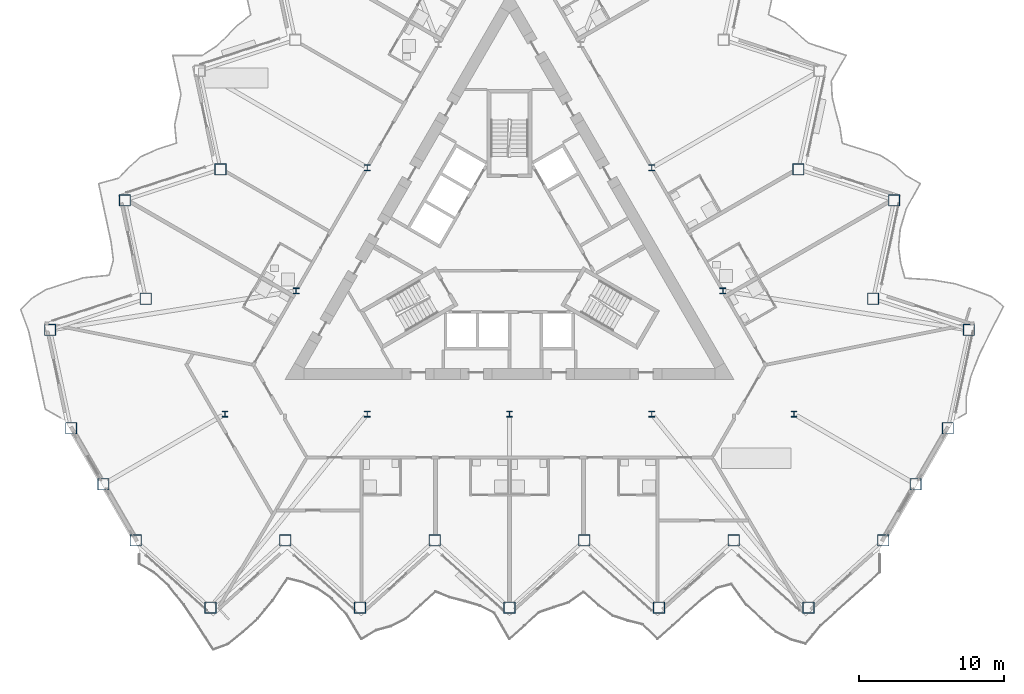
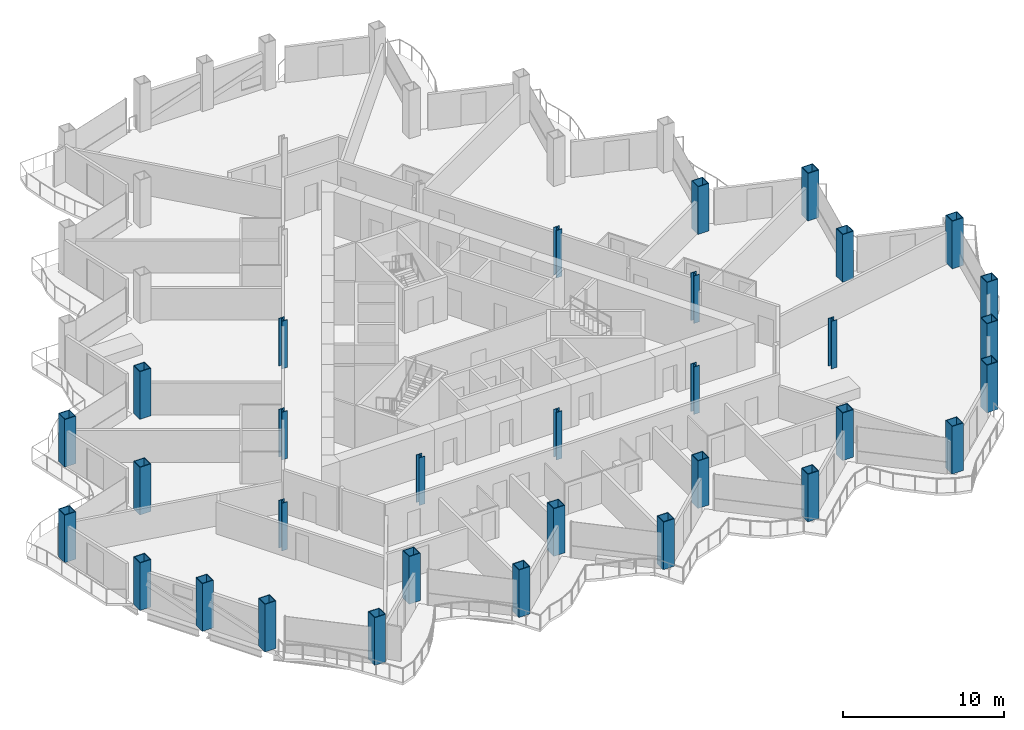
# One storey, part 1 of 23: 32 columns.
"""IFC4 building model written with IfcOpenShell, lengths in metres."""

from ifc_helpers import new_model, si_unit, direction, frame, origin, origin_2d, place, context, subcontext, project, spatial, hollow_rectangle, i_section, extrude, material, material_profile, profile_set, type_object, element, save


model = new_model("IFC4")

# Units and contexts
model_context = context("Model", 3, precision=1e-05, world=origin(), true_north=direction((0.0, 1.0)))
body_context = subcontext(model_context, "Body", "Model", "MODEL_VIEW")
ifc_project = project(units=[si_unit("LENGTHUNIT", "METRE"), si_unit("AREAUNIT", "SQUARE_METRE"), si_unit("VOLUMEUNIT", "CUBIC_METRE"), si_unit("PLANEANGLEUNIT", "RADIAN"), si_unit("MASSUNIT", "GRAM", prefix="KILO")], contexts=[model_context])

# Site, building, storey
site_placement = place(None, origin())
site = spatial("IfcSite", under=ifc_project, at=site_placement, CompositionType="ELEMENT")
building_placement = place(site_placement, origin())
building = spatial("IfcBuilding", under=site, at=building_placement, Name="Cormorant Prow Tower", CompositionType="ELEMENT")
storey_placement = place(building_placement, frame((0.0, 0.0, 176.39990234375)))
storey = spatial("IfcBuildingStorey", under=building, at=storey_placement, Name="L37", CompositionType="ELEMENT", Elevation=176.39990234375)

# Columns
ifc_material_1 = material(Name="Structural steel ASTM A572 Gr 50", Category="steel")
ifc_material_profile_1 = material_profile(ifc_material_1, hollow_rectangle(XDim=0.800048828125, YDim=0.800048828125, WallThickness=0.050048828125, at=origin_2d()), Name="Box 800x800x50")
ifc_profile_set_1 = profile_set([ifc_material_profile_1], Name="Structural steel ASTM A572 Gr 50")
column_type_1 = type_object("IfcColumnType", Name="Perimeter box column 800x800x50", PredefinedType="COLUMN", material=ifc_profile_set_1)
for number, where, z_axis, x_axis, name in (
    (1, (-25.823486328125, -20.0712890625, 0.0), (0.0, 0.0, 1.0), (1.0, 0.0, 0.0), "Perimeter column C4 at S00 L37"),
    (2, (-20.658935546875, -24.7216796875, 0.0), (0.0, 0.0, 1.0), (1.0, 0.0, 0.0), "Perimeter column C4 at S01 L37"),
    (3, (-15.494140625, -20.0712890625, 0.0), (0.0, 0.0, 1.0), (1.0, 0.0, 0.0), "Perimeter column C4 at S02 L37"),
    (4, (-10.329345703125, -24.7216796875, 0.0), (0.0, 0.0, 1.0), (1.0, 0.0, 0.0), "Perimeter column C4 at S03 L37"),
    (5, (-5.164794921875, -20.0712890625, 0.0), (0.0, 0.0, 1.0), (1.0, 0.0, 0.0), "Perimeter column C4 at S04 L37"),
    (6, (0.0, -24.7216796875, 0.0), (0.0, 0.0, 1.0), (1.0, 0.0, 0.0), "Perimeter column C4 at S05 L37"),
    (7, (5.164794921875, -20.0712890625, 0.0), (0.0, 0.0, 1.0), (1.0, 0.0, 0.0), "Perimeter column C4 at S06 L37"),
    (8, (10.329345703125, -24.7216796875, 0.0), (0.0, 0.0, 1.0), (1.0, 0.0, 0.0), "Perimeter column C4 at S07 L37"),
    (9, (15.494140625, -20.0712890625, 0.0), (0.0, 0.0, 1.0), (1.0, 0.0, 0.0), "Perimeter column C4 at S08 L37"),
    (10, (20.658935546875, -24.7216796875, 0.0), (0.0, 0.0, 1.0), (1.0, 0.0, 0.0), "Perimeter column C4 at S09 L37"),
    (11, (25.823486328125, -20.0712890625, 0.0), (0.0, 0.0, 1.0), (1.0, 0.0, 0.0), "Perimeter column C4 at ESE00 L37"),
    (12, (28.058837890625, -16.19970703125, 0.0), (0.0, 0.0, 1.0), (1.0, 0.0, 0.0), "Perimeter column C4 at ESE01 L37"),
    (13, (30.2939453125, -12.328369140625, 0.0), (0.0, 0.0, 1.0), (1.0, 0.0, 0.0), "Perimeter column C4 at ENE00 L37"),
    (14, (31.739013671875, -5.5302734375, 0.0), (0.0, 0.0, 1.0), (1.0, 0.0, 0.0), "Perimeter column C4 at ENE01 L37"),
    (15, (25.12939453125, -3.3828125, 0.0), (0.0, 0.0, 1.0), (1.0, 0.0, 0.0), "Perimeter column C4 at ENE02 L37"),
    (16, (26.57421875, 3.415283203125, 0.0), (0.0, 0.0, 1.0), (1.0, 0.0, 0.0), "Perimeter column C4 at ENE03 L37"),
    (17, (19.964599609375, 5.562744140625, 0.0), (0.0, 0.0, 1.0), (1.0, 0.0, 0.0), "Perimeter column C4 at ENE04 L37"),
    (18, (-19.964599609375, 5.562744140625, 0.0), (0.0, 0.0, 1.0), (1.0, 0.0, 0.0), "Perimeter column C4 at WNW06 L37"),
    (19, (-26.57421875, 3.415283203125, 0.0), (0.0, 0.0, 1.0), (1.0, 0.0, 0.0), "Perimeter column C4 at WNW07 L37"),
    (20, (-25.12939453125, -3.3828125, 0.0), (0.0, 0.0, 1.0), (1.0, 0.0, 0.0), "Perimeter column C4 at WNW08 L37"),
    (21, (-31.739013671875, -5.5302734375, 0.0), (0.0, 0.0, 1.0), (1.0, 0.0, 0.0), "Perimeter column C4 at WNW09 L37"),
    (22, (-30.2939453125, -12.328369140625, 0.0), (0.0, 0.0, 1.0), (1.0, 0.0, 0.0), "Perimeter column C4 at WSW00 L37"),
    (23, (-28.058837890625, -16.19970703125, 0.0), (0.0, 0.0, 1.0), (1.0, 0.0, 0.0), "Perimeter column C4 at WSW01 L37"),
):
    element("IfcColumn", number, at=place(storey_placement, frame(where, z_axis=z_axis, x_axis=x_axis)), inside=storey, type_object=column_type_1, Name=name, PredefinedType="COLUMN", context=body_context, shape_type="SweptSolid", body=[
        extrude(hollow_rectangle(XDim=0.800048828125, YDim=0.800048828125, WallThickness=0.050048828125, at=origin_2d()), origin(), (0.0, 0.0, 1.0), 3.60009765625),
    ])
ifc_material_2 = material(Name="Structural steel ASTM A992 Gr 50", Category="steel")
ifc_material_profile_2 = material_profile(ifc_material_2, i_section(OverallWidth=0.403564453125, OverallDepth=0.407470703125, WebThickness=0.027099609375, FlangeThickness=0.043701171875, at=origin_2d()), Name="W14x233")
ifc_profile_set_2 = profile_set([ifc_material_profile_2], Name="Structural steel ASTM A992 Gr 50")
column_type_2 = type_object("IfcColumnType", Name="Ring column W14x233", PredefinedType="COLUMN", material=ifc_profile_set_2)
for number, where, z_axis, x_axis, name in (
    (24, (-9.828369140625, 5.674560546875, 0.0), (0.0, 0.0, 1.0), (1.0, 0.0, 0.0), "Ring column 3 L37"),
    (25, (-14.74267578125, -2.837158203125, 0.0), (0.0, 0.0, 1.0), (1.0, 0.0, 0.0), "Ring column 4 L37"),
    (26, (-19.656982421875, -11.348876953125, 0.0), (0.0, 0.0, 1.0), (1.0, 0.0, 0.0), "Ring column 5 L37"),
    (27, (-9.828369140625, -11.348876953125, 0.0), (0.0, 0.0, 1.0), (1.0, 0.0, 0.0), "Ring column 6 L37"),
    (28, (0.0, -11.348876953125, 0.0), (0.0, 0.0, 1.0), (1.0, 0.0, 0.0), "Ring column 7 L37"),
    (29, (9.828369140625, -11.348876953125, 0.0), (0.0, 0.0, 1.0), (1.0, 0.0, 0.0), "Ring column 8 L37"),
    (30, (19.656982421875, -11.348876953125, 0.0), (0.0, 0.0, 1.0), (1.0, 0.0, 0.0), "Ring column 9 L37"),
    (31, (14.74267578125, -2.837158203125, 0.0), (0.0, 0.0, 1.0), (1.0, 0.0, 0.0), "Ring column 10 L37"),
    (32, (9.828369140625, 5.674560546875, 0.0), (0.0, 0.0, 1.0), (1.0, 0.0, 0.0), "Ring column 11 L37"),
):
    element("IfcColumn", number, at=place(storey_placement, frame(where, z_axis=z_axis, x_axis=x_axis)), inside=storey, type_object=column_type_2, Name=name, PredefinedType="COLUMN", context=body_context, shape_type="SweptSolid", body=[
        extrude(i_section(OverallWidth=0.403564453125, OverallDepth=0.407470703125, WebThickness=0.027099609375, FlangeThickness=0.043701171875, at=origin_2d()), origin(), (0.0, 0.0, 1.0), 3.60009765625),
    ])

save(model, "model.ifc")
